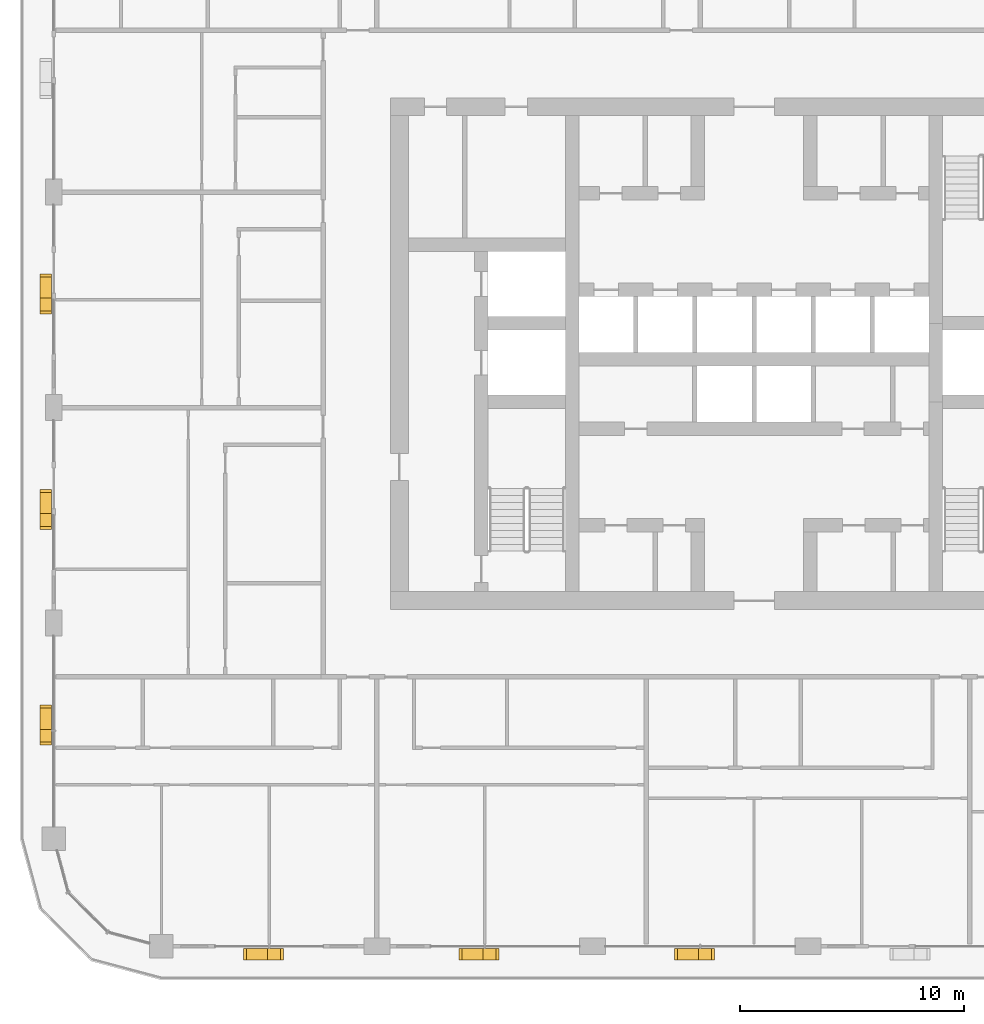
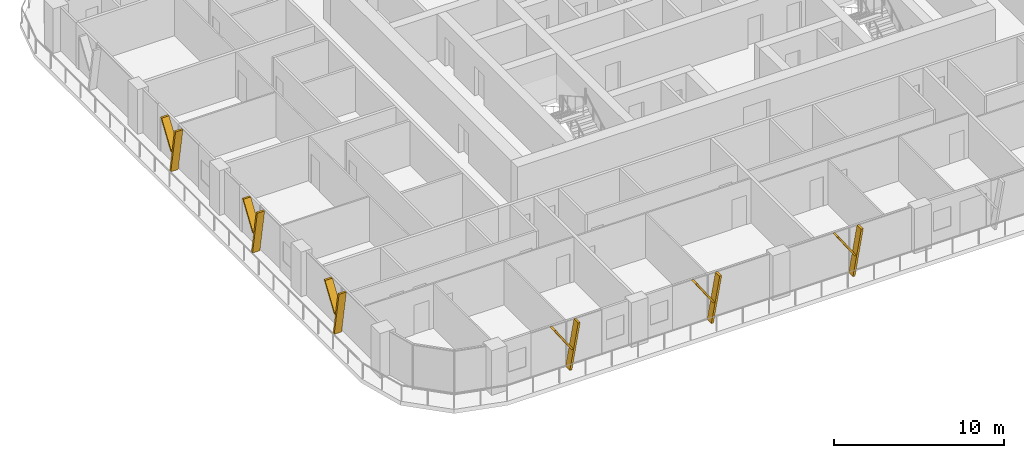
# One storey, part 17 of 22: 12 shading devices.
"""IFC4 building model written with IfcOpenShell, lengths in metres."""

from ifc_helpers import new_model, si_unit, direction, frame, origin, place, context, subcontext, project, spatial, polyline, outline, extrude, material, type_object, element, save


model = new_model("IFC4")

# Units and contexts
model_context = context("Model", 3, precision=1e-05, world=origin(), true_north=direction((0.0, 1.0)))
body_context = subcontext(model_context, "Body", "Model", "MODEL_VIEW")
ifc_project = project(units=[si_unit("LENGTHUNIT", "METRE"), si_unit("AREAUNIT", "SQUARE_METRE"), si_unit("VOLUMEUNIT", "CUBIC_METRE"), si_unit("PLANEANGLEUNIT", "RADIAN"), si_unit("MASSUNIT", "GRAM", prefix="KILO")], contexts=[model_context])

# Site, building, storey
site_placement = place(None, origin())
site = spatial("IfcSite", under=ifc_project, at=site_placement, CompositionType="ELEMENT")
building_placement = place(site_placement, origin())
building = spatial("IfcBuilding", under=site, at=building_placement, Name="Madar Terraces", CompositionType="ELEMENT")
storey_placement = place(building_placement, frame((0.0, 0.0, 149.0)))
storey = spatial("IfcBuildingStorey", under=building, at=storey_placement, Name="L38", CompositionType="ELEMENT", Elevation=149.0)

# Shading devices
ifc_material = material(Name="Aluminium, black anodised", Category="aluminium")
shading_device_type = type_object("IfcShadingDeviceType", Name="Facade fin blade 140 x 500", PredefinedType="USERDEFINED", material=ifc_material)
shading_device_1_placement = place(storey_placement, frame((9.530029296875, -0.35009765625, 0.0), z_axis=(0.0, 0.0, 1.0), x_axis=(1.0, 0.0, 0.0)))
element("IfcShadingDevice", 1, at=shading_device_1_placement, inside=storey, type_object=shading_device_type, Name="FIN L38 S1", ObjectType="FIN", PredefinedType="USERDEFINED", context=body_context, shape_type="SweptSolid", body=[
    extrude(outline(polyline([(0.0, 0.0), (0.139892578125, 0.0), (0.704345703125, 3.199951171875), (0.564208984375, 3.199951171875), (0.0, 0.0)])), frame((0.0, 0.25, 0.0), z_axis=(0.0, -1.0, 0.0), x_axis=(1.0, 0.0, 0.0)), (0.0, 0.0, 1.0), 0.5),
])
shading_device_2_placement = place(storey_placement, frame((9.643798828125, -0.35009765625, 1.43994140625), z_axis=(0.0, 0.0, 1.0), x_axis=(1.0, 0.0, 0.0)))
element("IfcShadingDevice", 2, at=shading_device_2_placement, inside=storey, type_object=shading_device_type, Name="FIN L38 S1 branch", ObjectType="FIN", PredefinedType="USERDEFINED", context=body_context, shape_type="SweptSolid", body=[
    extrude(outline(polyline([(0.0, 0.0), (0.14013671875, 0.0), (-1.049560546875, 1.760009765625), (-1.189697265625, 1.760009765625), (0.0, 0.0)])), frame((0.0, 0.25, 0.0), z_axis=(0.0, -1.0, 0.0), x_axis=(1.0, 0.0, 0.0)), (0.0, 0.0, 1.0), 0.5),
])
shading_device_3_placement = place(storey_placement, frame((19.1298828125, -0.35009765625, 0.0), z_axis=(0.0, 0.0, 1.0), x_axis=(1.0, 0.0, 0.0)))
element("IfcShadingDevice", 3, at=shading_device_3_placement, inside=storey, type_object=shading_device_type, Name="FIN L38 S2", ObjectType="FIN", PredefinedType="USERDEFINED", context=body_context, shape_type="SweptSolid", body=[
    extrude(outline(polyline([(0.0, 0.0), (0.14013671875, 0.0), (0.704345703125, 3.199951171875), (0.564208984375, 3.199951171875), (0.0, 0.0)])), frame((0.0, 0.25, 0.0), z_axis=(0.0, -1.0, 0.0), x_axis=(1.0, 0.0, 0.0)), (0.0, 0.0, 1.0), 0.5),
])
shading_device_4_placement = place(storey_placement, frame((19.243896484375, -0.35009765625, 1.43994140625), z_axis=(0.0, 0.0, 1.0), x_axis=(1.0, 0.0, 0.0)))
element("IfcShadingDevice", 4, at=shading_device_4_placement, inside=storey, type_object=shading_device_type, Name="FIN L38 S2 branch", ObjectType="FIN", PredefinedType="USERDEFINED", context=body_context, shape_type="SweptSolid", body=[
    extrude(outline(polyline([(0.0, 0.0), (0.139892578125, 0.0), (-1.049560546875, 1.760009765625), (-1.189697265625, 1.760009765625), (0.0, 0.0)])), frame((0.0, 0.25, 0.0), z_axis=(0.0, -1.0, 0.0), x_axis=(1.0, 0.0, 0.0)), (0.0, 0.0, 1.0), 0.5),
])
shading_device_5_placement = place(storey_placement, frame((28.72998046875, -0.35009765625, 0.0), z_axis=(0.0, 0.0, 1.0), x_axis=(1.0, 0.0, 0.0)))
element("IfcShadingDevice", 5, at=shading_device_5_placement, inside=storey, type_object=shading_device_type, Name="FIN L38 S3", ObjectType="FIN", PredefinedType="USERDEFINED", context=body_context, shape_type="SweptSolid", body=[
    extrude(outline(polyline([(0.0, 0.0), (0.14013671875, 0.0), (0.704345703125, 3.199951171875), (0.564208984375, 3.199951171875), (0.0, 0.0)])), frame((0.0, 0.25, 0.0), z_axis=(0.0, -1.0, 0.0), x_axis=(1.0, 0.0, 0.0)), (0.0, 0.0, 1.0), 0.5),
])
shading_device_6_placement = place(storey_placement, frame((28.843994140625, -0.35009765625, 1.43994140625), z_axis=(0.0, 0.0, 1.0), x_axis=(1.0, 0.0, 0.0)))
element("IfcShadingDevice", 6, at=shading_device_6_placement, inside=storey, type_object=shading_device_type, Name="FIN L38 S3 branch", ObjectType="FIN", PredefinedType="USERDEFINED", context=body_context, shape_type="SweptSolid", body=[
    extrude(outline(polyline([(0.0, 0.0), (0.139892578125, 0.0), (-1.049560546875, 1.760009765625), (-1.189697265625, 1.760009765625), (0.0, 0.0)])), frame((0.0, 0.25, 0.0), z_axis=(0.0, -1.0, 0.0), x_axis=(1.0, 0.0, 0.0)), (0.0, 0.0, 1.0), 0.5),
])
shading_device_7_placement = place(storey_placement, frame((-0.35009765625, 28.8701171875, 0.0), z_axis=(0.0, 0.0, 1.0), x_axis=(0.0, -1.0, 0.0)))
element("IfcShadingDevice", 7, at=shading_device_7_placement, inside=storey, type_object=shading_device_type, Name="FIN L38 W2", ObjectType="FIN", PredefinedType="USERDEFINED", context=body_context, shape_type="SweptSolid", body=[
    extrude(outline(polyline([(0.0, 0.0), (0.14013671875, 0.0), (0.704345703125, 3.199951171875), (0.564208984375, 3.199951171875), (0.0, 0.0)])), frame((0.0, 0.25, 0.0), z_axis=(0.0, -1.0, 0.0), x_axis=(1.0, 0.0, 0.0)), (0.0, 0.0, 1.0), 0.5),
])
shading_device_8_placement = place(storey_placement, frame((-0.35009765625, 28.756103515625, 1.43994140625), z_axis=(0.0, 0.0, 1.0), x_axis=(0.0, -1.0, 0.0)))
element("IfcShadingDevice", 8, at=shading_device_8_placement, inside=storey, type_object=shading_device_type, Name="FIN L38 W2 branch", ObjectType="FIN", PredefinedType="USERDEFINED", context=body_context, shape_type="SweptSolid", body=[
    extrude(outline(polyline([(0.0, 0.0), (0.139892578125, 0.0), (-1.049560546875, 1.760009765625), (-1.189697265625, 1.760009765625), (0.0, 0.0)])), frame((0.0, 0.25, 0.0), z_axis=(0.0, -1.0, 0.0), x_axis=(1.0, 0.0, 0.0)), (0.0, 0.0, 1.0), 0.5),
])
shading_device_9_placement = place(storey_placement, frame((-0.35009765625, 19.27001953125, 0.0), z_axis=(0.0, 0.0, 1.0), x_axis=(0.0, -1.0, 0.0)))
element("IfcShadingDevice", 9, at=shading_device_9_placement, inside=storey, type_object=shading_device_type, Name="FIN L38 W3", ObjectType="FIN", PredefinedType="USERDEFINED", context=body_context, shape_type="SweptSolid", body=[
    extrude(outline(polyline([(0.0, 0.0), (0.14013671875, 0.0), (0.704345703125, 3.199951171875), (0.564208984375, 3.199951171875), (0.0, 0.0)])), frame((0.0, 0.25, 0.0), z_axis=(0.0, -1.0, 0.0), x_axis=(1.0, 0.0, 0.0)), (0.0, 0.0, 1.0), 0.5),
])
shading_device_10_placement = place(storey_placement, frame((-0.35009765625, 19.156005859375, 1.43994140625), z_axis=(0.0, 0.0, 1.0), x_axis=(0.0, -1.0, 0.0)))
element("IfcShadingDevice", 10, at=shading_device_10_placement, inside=storey, type_object=shading_device_type, Name="FIN L38 W3 branch", ObjectType="FIN", PredefinedType="USERDEFINED", context=body_context, shape_type="SweptSolid", body=[
    extrude(outline(polyline([(0.0, 0.0), (0.139892578125, 0.0), (-1.049560546875, 1.760009765625), (-1.189697265625, 1.760009765625), (0.0, 0.0)])), frame((0.0, 0.25, 0.0), z_axis=(0.0, -1.0, 0.0), x_axis=(1.0, 0.0, 0.0)), (0.0, 0.0, 1.0), 0.5),
])
shading_device_11_placement = place(storey_placement, frame((-0.35009765625, 9.669921875, 0.0), z_axis=(0.0, 0.0, 1.0), x_axis=(0.0, -1.0, 0.0)))
element("IfcShadingDevice", 11, at=shading_device_11_placement, inside=storey, type_object=shading_device_type, Name="FIN L38 W4", ObjectType="FIN", PredefinedType="USERDEFINED", context=body_context, shape_type="SweptSolid", body=[
    extrude(outline(polyline([(0.0, 0.0), (0.139892578125, 0.0), (0.704345703125, 3.199951171875), (0.564208984375, 3.199951171875), (0.0, 0.0)])), frame((0.0, 0.25, 0.0), z_axis=(0.0, -1.0, 0.0), x_axis=(1.0, 0.0, 0.0)), (0.0, 0.0, 1.0), 0.5),
])
shading_device_12_placement = place(storey_placement, frame((-0.35009765625, 9.55615234375, 1.43994140625), z_axis=(0.0, 0.0, 1.0), x_axis=(0.0, -1.0, 0.0)))
element("IfcShadingDevice", 12, at=shading_device_12_placement, inside=storey, type_object=shading_device_type, Name="FIN L38 W4 branch", ObjectType="FIN", PredefinedType="USERDEFINED", context=body_context, shape_type="SweptSolid", body=[
    extrude(outline(polyline([(0.0, 0.0), (0.14013671875, 0.0), (-1.049560546875, 1.760009765625), (-1.189697265625, 1.760009765625), (0.0, 0.0)])), frame((0.0, 0.25, 0.0), z_axis=(0.0, -1.0, 0.0), x_axis=(1.0, 0.0, 0.0)), (0.0, 0.0, 1.0), 0.5),
])

save(model, "model.ifc")
